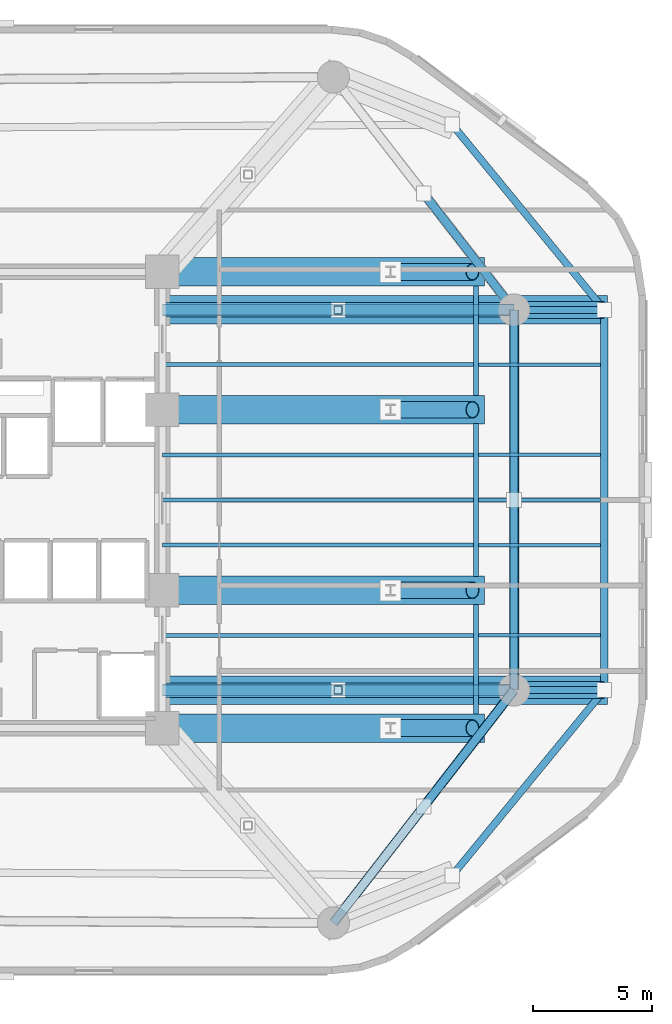
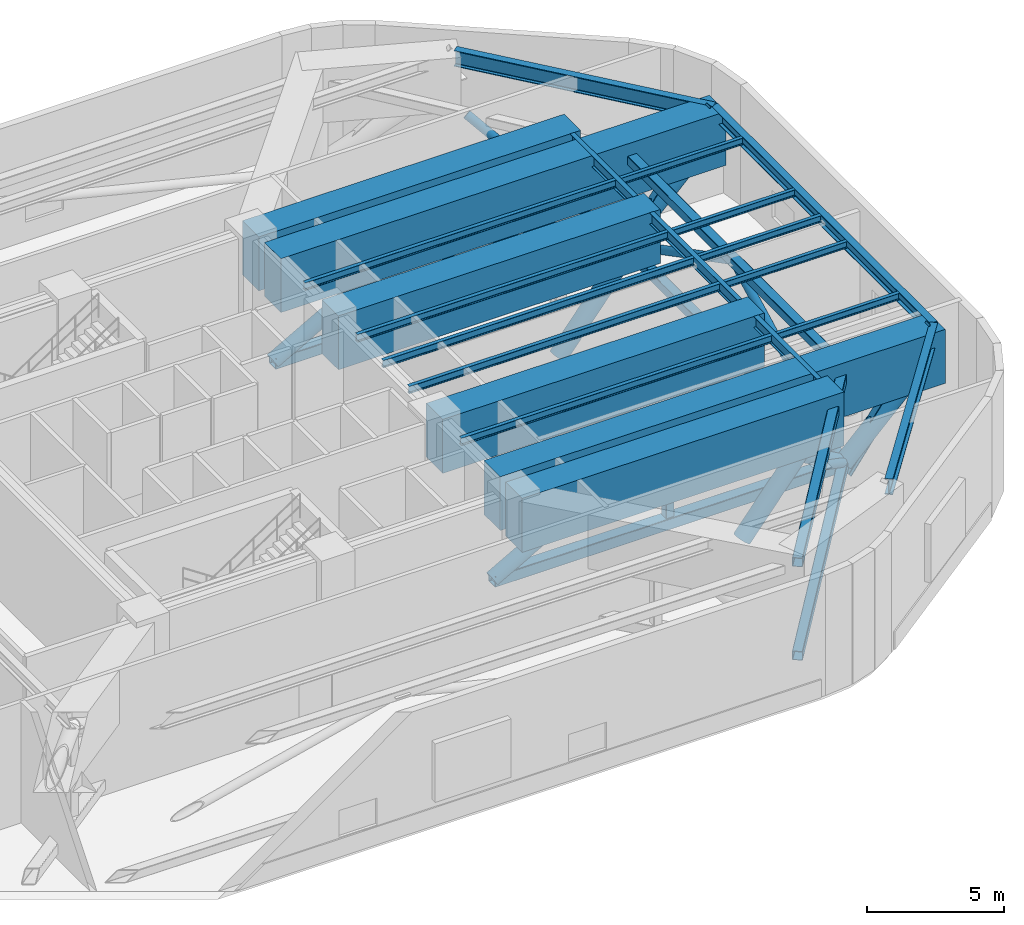
# One storey, part 3 of 10: 24 beams, 22 members.
"""IFC4 building model written with IfcOpenShell, lengths in metres."""

from ifc_helpers import new_model, si_unit, direction, frame, origin, origin_2d, place, context, subcontext, project, spatial, rectangle, hollow_rectangle, hollow_circle, i_section, extrude, material, material_profile, profile_set, type_object, element, save


model = new_model("IFC4")

# Units and contexts
model_context = context("Model", 3, precision=1e-05, world=origin(), true_north=direction((0.0, 1.0)))
body_context = subcontext(model_context, "Body", "Model", "MODEL_VIEW")
ifc_project = project(units=[si_unit("LENGTHUNIT", "METRE"), si_unit("AREAUNIT", "SQUARE_METRE"), si_unit("VOLUMEUNIT", "CUBIC_METRE"), si_unit("PLANEANGLEUNIT", "RADIAN"), si_unit("MASSUNIT", "GRAM", prefix="KILO")], contexts=[model_context])

# Site, building, storey
site_placement = place(None, origin())
site = spatial("IfcSite", under=ifc_project, at=site_placement, CompositionType="ELEMENT")
building_placement = place(site_placement, origin())
building = spatial("IfcBuilding", under=site, at=building_placement, Name="An Khanh Terracotta Commons", CompositionType="ELEMENT")
storey_placement = place(building_placement, frame((0.0, 0.0, 133.10009765625)))
storey = spatial("IfcBuildingStorey", under=building, at=storey_placement, Name="L35", CompositionType="ELEMENT", Elevation=133.10009765625)

# Members
ifc_material_1 = material(Name="Steel S460ML", Category="steel")
ifc_material_profile_1 = material_profile(ifc_material_1, hollow_rectangle(XDim=0.39990234375, YDim=0.39990234375, WallThickness=0.02001953125, InnerFilletRadius=0.02001953125, OuterFilletRadius=0.0400390625, at=origin_2d()), Name="SHS400x400x20")
ifc_profile_set_1 = profile_set([ifc_material_profile_1], Name="Steel S460ML")
member_type_1 = type_object("IfcMemberType", Name="BELT-CHORD-SHS400", PredefinedType="CHORD", material=ifc_profile_set_1)
for number, where, z_axis, x_axis, name in (
    (1, (44.39990234375, 6.199951171875, 0.449951171875), (0.612826529795, 0.790217466511, 0.0), (-0.790217466511, 0.612826529795, 0.0), "L35 Belt-Truss Bottom Chord 2"),
    (2, (44.39990234375, 6.199951171875, 4.60986328125), (0.612826529795, 0.790217466511, 0.0), (-0.790217466511, 0.612826529795, 0.0), "L35 Belt-Truss Top Chord 2"),
):
    element("IfcMember", number, at=place(storey_placement, frame(where, z_axis=z_axis, x_axis=x_axis)), inside=storey, type_object=member_type_1, Name=name, PredefinedType="CHORD", context=body_context, shape_type="SweptSolid", body=[
        extrude(hollow_rectangle(XDim=0.39990234375, YDim=0.39990234375, WallThickness=0.02001953125, InnerFilletRadius=0.02001953125, OuterFilletRadius=0.0400390625, at=origin_2d()), origin(), (0.0, 0.0, 1.0), 12.401611328125),
    ])
for number, where, z_axis, x_axis, name in (
    (3, (52.0, 16.0, 0.449951171875), (0.0, 1.0, 0.0), (-1.0, 0.0, 0.0), "L35 Belt-Truss Bottom Chord 3"),
    (4, (52.0, 16.0, 4.60986328125), (0.0, 1.0, 0.0), (-1.0, 0.0, 0.0), "L35 Belt-Truss Top Chord 3"),
):
    element("IfcMember", number, at=place(storey_placement, frame(where, z_axis=z_axis, x_axis=x_axis)), inside=storey, type_object=member_type_1, Name=name, PredefinedType="CHORD", context=body_context, shape_type="SweptSolid", body=[
        extrude(hollow_rectangle(XDim=0.39990234375, YDim=0.39990234375, WallThickness=0.02001953125, InnerFilletRadius=0.02001953125, OuterFilletRadius=0.0400390625, at=origin_2d()), origin(), (0.0, 0.0, 1.0), 16.0),
    ])
ifc_material_profile_2 = material_profile(ifc_material_1, hollow_rectangle(XDim=0.5, YDim=0.5, WallThickness=0.02490234375, InnerFilletRadius=0.02490234375, OuterFilletRadius=0.050048828125, at=origin_2d()), Name="SHS500x500x25")
ifc_profile_set_2 = profile_set([ifc_material_profile_2], Name="Steel S460ML")
member_type_2 = type_object("IfcMemberType", Name="BELT-CHORD-SHS500", PredefinedType="CHORD", material=ifc_profile_set_2)
for number, where, z_axis, x_axis, name in (
    (5, (37.199951171875, 16.0, 0.449951171875), (1.0, 0.0, 0.0), (0.0, 1.0, 0.0), "L35 Outrigger Bottom Chord 3"),
    (6, (37.199951171875, 32.0, 0.449951171875), (1.0, 0.0, 0.0), (0.0, 1.0, 0.0), "L35 Outrigger Bottom Chord 4"),
):
    element("IfcMember", number, at=place(storey_placement, frame(where, z_axis=z_axis, x_axis=x_axis)), inside=storey, type_object=member_type_2, Name=name, PredefinedType="CHORD", context=body_context, shape_type="SweptSolid", body=[
        extrude(hollow_rectangle(XDim=0.5, YDim=0.5, WallThickness=0.02490234375, InnerFilletRadius=0.02490234375, OuterFilletRadius=0.050048828125, at=origin_2d()), origin(), (0.0, 0.0, 1.0), 14.800048828125),
    ])
ifc_material_profile_3 = material_profile(ifc_material_1, hollow_circle(Radius=0.177734375, WallThickness=0.01611328125, at=origin_2d()), Name="CHS355.6x16")
ifc_profile_set_3 = profile_set([ifc_material_profile_3], Name="Steel S460ML")
member_type_3 = type_object("IfcMemberType", Name="BELT-DIAG-CHS355", PredefinedType="BRACE", material=ifc_profile_set_3)
member_1_placement = place(storey_placement, frame((52.0, 16.0, 0.449951171875), z_axis=(-0.508920634684, -0.656218254938, 0.557115238958), x_axis=(0.79021007312, -0.612836063185, 0.0)))
element("IfcMember", 7, at=member_1_placement, inside=storey, type_object=member_type_3, Name="L35 Belt-Truss Web Diagonal 2B", PredefinedType="BRACE", context=body_context, shape_type="SweptSolid", body=[
    extrude(hollow_circle(Radius=0.177734375, WallThickness=0.01611328125, at=origin_2d()), origin(), (0.0, 0.0, 1.0), 7.466796875),
])
for number, where, z_axis, x_axis, name in (
    (8, (52.0, 16.0, 0.449951171875), (0.0, 0.887220790965, 0.461345064003), (-1.0, 0.0, 0.0), "L35 Belt-Truss Web Diagonal 3A"),
    (9, (52.0, 32.0, 0.449951171875), (0.0, -0.887220790965, 0.461345064003), (1.0, 0.0, 0.0), "L35 Belt-Truss Web Diagonal 3B"),
):
    element("IfcMember", number, at=place(storey_placement, frame(where, z_axis=z_axis, x_axis=x_axis)), inside=storey, type_object=member_type_3, Name=name, PredefinedType="BRACE", context=body_context, shape_type="SweptSolid", body=[
        extrude(hollow_circle(Radius=0.177734375, WallThickness=0.01611328125, at=origin_2d()), origin(), (0.0, 0.0, 1.0), 9.016845703125),
    ])
member_2_placement = place(storey_placement, frame((52.0, 32.0, 0.449951171875), z_axis=(-0.508920634684, 0.656218254938, 0.557115238958), x_axis=(-0.79021007312, -0.612836063185, 0.0)))
element("IfcMember", 10, at=member_2_placement, inside=storey, type_object=member_type_3, Name="L35 Belt-Truss Web Diagonal 4A", PredefinedType="BRACE", context=body_context, shape_type="SweptSolid", body=[
    extrude(hollow_circle(Radius=0.177734375, WallThickness=0.01611328125, at=origin_2d()), origin(), (0.0, 0.0, 1.0), 7.466796875),
])
ifc_material_profile_4 = material_profile(ifc_material_1, hollow_rectangle(XDim=0.35009765625, YDim=0.35009765625, WallThickness=0.01611328125, InnerFilletRadius=0.01611328125, OuterFilletRadius=0.031982421875, at=origin_2d()), Name="SHS350x350x16")
ifc_profile_set_4 = profile_set([ifc_material_profile_4], Name="Steel S460ML")
member_type_4 = type_object("IfcMemberType", Name="BELT-STRUT-SHS350", PredefinedType="STRUT", material=ifc_profile_set_4)
for number, where, z_axis, x_axis, name in (
    (11, (44.60009765625, 16.0, 0.449951171875), (0.0, 0.0, 1.0), (1.0, 0.0, 0.0), "L35 Outrigger Vertical Post 3"),
    (12, (44.60009765625, 32.0, 0.449951171875), (0.0, 0.0, 1.0), (1.0, 0.0, 0.0), "L35 Outrigger Vertical Post 4"),
):
    element("IfcMember", number, at=place(storey_placement, frame(where, z_axis=z_axis, x_axis=x_axis)), inside=storey, type_object=member_type_4, Name=name, PredefinedType="STRUT", context=body_context, shape_type="SweptSolid", body=[
        extrude(hollow_rectangle(XDim=0.35009765625, YDim=0.35009765625, WallThickness=0.01611328125, InnerFilletRadius=0.01611328125, OuterFilletRadius=0.031982421875, at=origin_2d()), origin(), (0.0, 0.0, 1.0), 4.159912109375),
    ])

# Beams
ifc_material_2 = material(Name="Steel S355J2", Category="steel")
ifc_material_profile_5 = material_profile(ifc_material_2, i_section(OverallWidth=0.300048828125, OverallDepth=0.5, WebThickness=0.014404296875, FlangeThickness=0.028076171875, FilletRadius=0.027099609375, at=origin_2d()), Name="HEB500")
ifc_profile_set_5 = profile_set([ifc_material_profile_5], Name="Steel S355J2")
beam_type_1 = type_object("IfcBeamType", Name="BM-HEB500", PredefinedType="BEAM", material=ifc_profile_set_5)
beam_1_placement = place(storey_placement, frame((55.800048828125, 16.0, 5.10986328125), z_axis=(0.0, 1.0, 0.0), x_axis=(-1.0, 0.0, 0.0)))
element("IfcBeam", 13, at=beam_1_placement, inside=storey, type_object=beam_type_1, Name="L35 Perimeter Ring Spandrel 3", PredefinedType="BEAM", context=body_context, shape_type="SweptSolid", body=[
    extrude(i_section(OverallWidth=0.300048828125, OverallDepth=0.5, WebThickness=0.014404296875, FlangeThickness=0.028076171875, FilletRadius=0.027099609375, at=origin_2d()), origin(), (0.0, 0.0, 1.0), 16.0),
])
ifc_material_profile_6 = material_profile(ifc_material_2, i_section(OverallWidth=0.300048828125, OverallDepth=0.60009765625, WebThickness=0.015380859375, FlangeThickness=0.030029296875, FilletRadius=0.027099609375, at=origin_2d()), Name="HEB600")
ifc_profile_set_6 = profile_set([ifc_material_profile_6], Name="Steel S355J2")
beam_type_2 = type_object("IfcBeamType", Name="BM-HEB600", PredefinedType="BEAM", material=ifc_profile_set_6)
for number, where, z_axis, x_axis, name in (
    (14, (52.0, 16.0, 0.0), (0.586340223599, 0.0, 0.810064899986), (0.0, 1.0, 0.0), "L35 Outrigger Lower Column Tie Beam 3"),
    (15, (52.0, 32.0, 0.0), (0.586340223599, 0.0, 0.810064899986), (0.0, 1.0, 0.0), "L35 Outrigger Lower Column Tie Beam 4"),
):
    element("IfcBeam", number, at=place(storey_placement, frame(where, z_axis=z_axis, x_axis=x_axis)), inside=storey, type_object=beam_type_2, Name=name, PredefinedType="BEAM", context=body_context, shape_type="SweptSolid", body=[
        extrude(i_section(OverallWidth=0.300048828125, OverallDepth=0.60009765625, WebThickness=0.015380859375, FlangeThickness=0.030029296875, FilletRadius=0.027099609375, at=origin_2d()), origin(), (0.0, 0.0, 1.0), 6.48095703125),
    ])
ifc_material_profile_7 = material_profile(ifc_material_2, i_section(OverallWidth=0.300048828125, OverallDepth=0.699951171875, WebThickness=0.01708984375, FlangeThickness=0.031982421875, FilletRadius=0.027099609375, at=origin_2d()), Name="HEB700")
ifc_profile_set_7 = profile_set([ifc_material_profile_7], Name="Steel S355J2")
beam_type_3 = type_object("IfcBeamType", Name="BM-HEB700", PredefinedType="BEAM", material=ifc_profile_set_7)
for number, where, z_axis, x_axis, name in (
    (16, (49.39990234375, 8.199951171875, 5.010009765625), (0.634322915223, 0.7730681983, 0.0), (-0.7730681983, 0.634322915223, 0.0), "L35 Perimeter Ring Spandrel 2"),
    (17, (55.800048828125, 32.0, 5.010009765625), (-0.634322915223, 0.7730681983, 0.0), (-0.7730681983, -0.634322915223, 0.0), "L35 Perimeter Ring Spandrel 4"),
):
    element("IfcBeam", number, at=place(storey_placement, frame(where, z_axis=z_axis, x_axis=x_axis)), inside=storey, type_object=beam_type_3, Name=name, PredefinedType="BEAM", context=body_context, shape_type="SweptSolid", body=[
        extrude(i_section(OverallWidth=0.300048828125, OverallDepth=0.699951171875, WebThickness=0.01708984375, FlangeThickness=0.031982421875, FilletRadius=0.027099609375, at=origin_2d()), origin(), (0.0, 0.0, 1.0), 10.08984375),
    ])
ifc_material_profile_8 = material_profile(ifc_material_2, i_section(OverallWidth=0.14990234375, OverallDepth=0.300048828125, WebThickness=0.007080078125, FlangeThickness=0.0107421875, FilletRadius=0.014892578125, at=origin_2d()), Name="IPE300")
ifc_profile_set_8 = profile_set([ifc_material_profile_8], Name="Steel S355J2")
beam_type_4 = type_object("IfcBeamType", Name="BM-IPE300", PredefinedType="JOIST", material=ifc_profile_set_8)
for number, where, z_axis, x_axis, name in (
    (18, (50.5, 18.300048828125, 5.2099609375), (1.0, 0.0, 0.0), (0.0, 1.0, 0.0), "L35 Riverfront Composite Joist 2"),
    (19, (50.5, 22.10009765625, 5.2099609375), (1.0, 0.0, 0.0), (0.0, 1.0, 0.0), "L35 Riverfront Composite Joist 3"),
    (20, (50.5, 24.0, 5.2099609375), (1.0, 0.0, 0.0), (0.0, 1.0, 0.0), "L35 Riverfront Composite Joist 4"),
    (21, (50.5, 25.89990234375, 5.2099609375), (1.0, 0.0, 0.0), (0.0, 1.0, 0.0), "L35 Riverfront Composite Joist 5"),
    (22, (50.5, 29.699951171875, 5.2099609375), (1.0, 0.0, 0.0), (0.0, 1.0, 0.0), "L35 Riverfront Composite Joist 6"),
):
    element("IfcBeam", number, at=place(storey_placement, frame(where, z_axis=z_axis, x_axis=x_axis)), inside=storey, type_object=beam_type_4, Name=name, PredefinedType="JOIST", context=body_context, shape_type="SweptSolid", body=[
        extrude(i_section(OverallWidth=0.14990234375, OverallDepth=0.300048828125, WebThickness=0.007080078125, FlangeThickness=0.0107421875, FilletRadius=0.014892578125, at=origin_2d()), origin(), (0.0, 0.0, 1.0), 5.14990234375),
    ])
ifc_material_profile_9 = material_profile(ifc_material_2, i_section(OverallWidth=0.159912109375, OverallDepth=0.330078125, WebThickness=0.007568359375, FlangeThickness=0.011474609375, FilletRadius=0.01806640625, at=origin_2d()), Name="IPE330")
ifc_profile_set_9 = profile_set([ifc_material_profile_9], Name="Steel S355J2")
beam_type_5 = type_object("IfcBeamType", Name="BM-IPE330", PredefinedType="JOIST", material=ifc_profile_set_9)
for number, where, z_axis, x_axis, name in (
    (23, (37.199951171875, 18.300048828125, 5.19482421875), (1.0, 0.0, 0.0), (0.0, 1.0, 0.0), "L35 Inboard Composite Joist 2"),
    (24, (37.199951171875, 22.10009765625, 5.19482421875), (1.0, 0.0, 0.0), (0.0, 1.0, 0.0), "L35 Inboard Composite Joist 3"),
    (25, (37.199951171875, 24.0, 5.19482421875), (1.0, 0.0, 0.0), (0.0, 1.0, 0.0), "L35 Inboard Composite Joist 4"),
    (26, (37.199951171875, 25.89990234375, 5.19482421875), (1.0, 0.0, 0.0), (0.0, 1.0, 0.0), "L35 Inboard Composite Joist 5"),
    (27, (37.199951171875, 29.699951171875, 5.19482421875), (1.0, 0.0, 0.0), (0.0, 1.0, 0.0), "L35 Inboard Composite Joist 6"),
):
    element("IfcBeam", number, at=place(storey_placement, frame(where, z_axis=z_axis, x_axis=x_axis)), inside=storey, type_object=beam_type_5, Name=name, PredefinedType="JOIST", context=body_context, shape_type="SweptSolid", body=[
        extrude(i_section(OverallWidth=0.159912109375, OverallDepth=0.330078125, WebThickness=0.007568359375, FlangeThickness=0.011474609375, FilletRadius=0.01806640625, at=origin_2d()), origin(), (0.0, 0.0, 1.0), 13.10009765625),
    ])
ifc_material_profile_10 = material_profile(ifc_material_2, i_section(OverallWidth=0.199951171875, OverallDepth=0.5, WebThickness=0.01025390625, FlangeThickness=0.01611328125, FilletRadius=0.02099609375, at=origin_2d()), Name="IPE500")
ifc_profile_set_10 = profile_set([ifc_material_profile_10], Name="Steel S355J2")
beam_type_6 = type_object("IfcBeamType", Name="BM-IPE500", PredefinedType="BEAM", material=ifc_profile_set_10)
beam_2_placement = place(storey_placement, frame((50.39990234375, 14.989990234375, 5.10986328125), z_axis=(0.0, 1.0, 0.0), x_axis=(-1.0, 0.0, 0.0)))
element("IfcBeam", 28, at=beam_2_placement, inside=storey, type_object=beam_type_6, Name="L35 East Spine Girder 1", PredefinedType="BEAM", context=body_context, shape_type="SweptSolid", body=[
    extrude(i_section(OverallWidth=0.199951171875, OverallDepth=0.5, WebThickness=0.01025390625, FlangeThickness=0.01611328125, FilletRadius=0.02099609375, at=origin_2d()), origin(), (0.0, 0.0, 1.0), 4.6201171875),
])
beam_3_placement = place(storey_placement, frame((50.39990234375, 20.7900390625, 5.10986328125), z_axis=(0.0, 1.0, 0.0), x_axis=(-1.0, 0.0, 0.0)))
element("IfcBeam", 29, at=beam_3_placement, inside=storey, type_object=beam_type_6, Name="L35 East Spine Girder 2", PredefinedType="BEAM", context=body_context, shape_type="SweptSolid", body=[
    extrude(i_section(OverallWidth=0.199951171875, OverallDepth=0.5, WebThickness=0.01025390625, FlangeThickness=0.01611328125, FilletRadius=0.02099609375, at=origin_2d()), origin(), (0.0, 0.0, 1.0), 6.419921875),
])
beam_4_placement = place(storey_placement, frame((50.39990234375, 28.389892578125, 5.10986328125), z_axis=(0.0, 1.0, 0.0), x_axis=(-1.0, 0.0, 0.0)))
element("IfcBeam", 30, at=beam_4_placement, inside=storey, type_object=beam_type_6, Name="L35 East Spine Girder 3", PredefinedType="BEAM", context=body_context, shape_type="SweptSolid", body=[
    extrude(i_section(OverallWidth=0.199951171875, OverallDepth=0.5, WebThickness=0.01025390625, FlangeThickness=0.01611328125, FilletRadius=0.02099609375, at=origin_2d()), origin(), (0.0, 0.0, 1.0), 4.6201171875),
])
ifc_material_3 = material(Name="Concrete C60/75", Category="concrete")
ifc_material_profile_11 = material_profile(ifc_material_3, rectangle(XDim=1.199951171875, YDim=2.39990234375, at=origin_2d()), Name="RCB1200x2400")
ifc_profile_set_11 = profile_set([ifc_material_profile_11], Name="Concrete C60/75")
beam_type_7 = type_object("IfcBeamType", Name="BM-RCB1200x2400", PredefinedType="BEAM", material=ifc_profile_set_11)
for number, where, z_axis, x_axis, name in (
    (31, (37.199951171875, 16.0, 4.159912109375), (1.0, 0.0, 0.0), (0.0, 1.0, 0.0), "L35 Outrigger Core-to-Mega Transfer Girder 3"),
    (32, (37.199951171875, 32.0, 4.159912109375), (1.0, 0.0, 0.0), (0.0, 1.0, 0.0), "L35 Outrigger Core-to-Mega Transfer Girder 4"),
):
    element("IfcBeam", number, at=place(storey_placement, frame(where, z_axis=z_axis, x_axis=x_axis)), inside=storey, type_object=beam_type_7, Name=name, PredefinedType="BEAM", context=body_context, shape_type="SweptSolid", body=[
        extrude(rectangle(XDim=1.199951171875, YDim=2.39990234375, at=origin_2d()), origin(), (0.0, 0.0, 1.0), 18.739990234375),
    ])
for number, where, z_axis, x_axis, name in (
    (33, (37.199951171875, 14.39990234375, 4.159912109375), (1.0, 0.0, 0.0), (0.0, 1.0, 0.0), "L35 Interior Column Step-Out Transfer Girder 1"),
    (34, (37.199951171875, 20.199951171875, 4.159912109375), (1.0, 0.0, 0.0), (0.0, 1.0, 0.0), "L35 Interior Column Step-Out Transfer Girder 2"),
    (35, (37.199951171875, 27.800048828125, 4.159912109375), (1.0, 0.0, 0.0), (0.0, 1.0, 0.0), "L35 Interior Column Step-Out Transfer Girder 3"),
    (36, (37.199951171875, 33.60009765625, 4.159912109375), (1.0, 0.0, 0.0), (0.0, 1.0, 0.0), "L35 Interior Column Step-Out Transfer Girder 4"),
):
    element("IfcBeam", number, at=place(storey_placement, frame(where, z_axis=z_axis, x_axis=x_axis)), inside=storey, type_object=beam_type_7, Name=name, PredefinedType="BEAM", context=body_context, shape_type="SweptSolid", body=[
        extrude(rectangle(XDim=1.199951171875, YDim=2.39990234375, at=origin_2d()), origin(), (0.0, 0.0, 1.0), 13.550048828125),
    ])

# Members
ifc_material_profile_12 = material_profile(ifc_material_1, hollow_circle(Radius=0.304931640625, WallThickness=0.030029296875, at=origin_2d()), Name="CHS610x30")
ifc_profile_set_12 = profile_set([ifc_material_profile_12], Name="Steel S460ML")
member_type_5 = type_object("IfcMemberType", Name="OUTRIGGER-DIAG-CHS610", PredefinedType="BRACE", material=ifc_profile_set_12)
member_3_placement = place(storey_placement, frame((37.199951171875, 16.0, 0.449951171875), z_axis=(0.871709911522, 0.0, 0.490022275162), x_axis=(0.0, 1.0, 0.0)))
element("IfcMember", 37, at=member_3_placement, inside=storey, type_object=member_type_5, Name="L35 Outrigger Tie Diagonal 3A", PredefinedType="BRACE", context=body_context, shape_type="SweptSolid", body=[
    extrude(hollow_circle(Radius=0.304931640625, WallThickness=0.030029296875, at=origin_2d()), origin(), (0.0, 0.0, 1.0), 8.4892578125),
])
member_4_placement = place(storey_placement, frame((44.60009765625, 16.0, 4.60986328125), z_axis=(0.871703005631, 0.0, -0.490034559979), x_axis=(0.0, 1.0, 0.0)))
element("IfcMember", 38, at=member_4_placement, inside=storey, type_object=member_type_5, Name="L35 Outrigger Tie Diagonal 3B", PredefinedType="BRACE", context=body_context, shape_type="SweptSolid", body=[
    extrude(hollow_circle(Radius=0.304931640625, WallThickness=0.030029296875, at=origin_2d()), origin(), (0.0, 0.0, 1.0), 8.489013671875),
])
member_5_placement = place(storey_placement, frame((37.199951171875, 32.0, 0.449951171875), z_axis=(0.871709911522, 0.0, 0.490022275162), x_axis=(0.0, 1.0, 0.0)))
element("IfcMember", 39, at=member_5_placement, inside=storey, type_object=member_type_5, Name="L35 Outrigger Tie Diagonal 4A", PredefinedType="BRACE", context=body_context, shape_type="SweptSolid", body=[
    extrude(hollow_circle(Radius=0.304931640625, WallThickness=0.030029296875, at=origin_2d()), origin(), (0.0, 0.0, 1.0), 8.4892578125),
])
member_6_placement = place(storey_placement, frame((44.60009765625, 32.0, 4.60986328125), z_axis=(0.871703005631, 0.0, -0.490034559979), x_axis=(0.0, 1.0, 0.0)))
element("IfcMember", 40, at=member_6_placement, inside=storey, type_object=member_type_5, Name="L35 Outrigger Tie Diagonal 4B", PredefinedType="BRACE", context=body_context, shape_type="SweptSolid", body=[
    extrude(hollow_circle(Radius=0.304931640625, WallThickness=0.030029296875, at=origin_2d()), origin(), (0.0, 0.0, 1.0), 8.489013671875),
])
ifc_material_profile_13 = material_profile(ifc_material_1, hollow_circle(Radius=0.35546875, WallThickness=0.031982421875, at=origin_2d()), Name="CHS711x32")
ifc_profile_set_13 = profile_set([ifc_material_profile_13], Name="Steel S460ML")
member_type_6 = type_object("IfcMemberType", Name="OUTRIGGER-RAKE-CHS711", PredefinedType="STRUT", material=ifc_profile_set_13)
for number, where, z_axis, x_axis, name in (
    (41, (52.0, 16.0, 0.449951171875), (0.708058768268, 0.0, 0.706153510704), (0.0, 1.0, 0.0), "L35 Zone-Step Raking Outrigger Strut 3"),
    (42, (52.0, 32.0, 0.449951171875), (0.708058768268, 0.0, 0.706153510704), (0.0, 1.0, 0.0), "L35 Zone-Step Raking Outrigger Strut 4"),
):
    element("IfcMember", number, at=place(storey_placement, frame(where, z_axis=z_axis, x_axis=x_axis)), inside=storey, type_object=member_type_6, Name=name, PredefinedType="STRUT", context=body_context, shape_type="SweptSolid", body=[
        extrude(hollow_circle(Radius=0.35546875, WallThickness=0.031982421875, at=origin_2d()), origin(), (0.0, 0.0, 1.0), 5.253662109375),
    ])
for number, where, z_axis, x_axis, name in (
    (43, (46.800048828125, 14.39990234375, -0.14013671875), (0.625790754633, 0.0, 0.779990981625), (0.0, 1.0, 0.0), "L35 Interior Column Raking Transfer Strut 1"),
    (44, (46.800048828125, 20.199951171875, -0.14013671875), (0.625790754633, 0.0, 0.779990981625), (0.0, 1.0, 0.0), "L35 Interior Column Raking Transfer Strut 2"),
    (45, (46.800048828125, 27.800048828125, -0.14013671875), (0.625790754633, 0.0, 0.779990981625), (0.0, 1.0, 0.0), "L35 Interior Column Raking Transfer Strut 3"),
    (46, (46.800048828125, 33.60009765625, -0.14013671875), (0.625790754633, 0.0, 0.779990981625), (0.0, 1.0, 0.0), "L35 Interior Column Raking Transfer Strut 4"),
):
    element("IfcMember", number, at=place(storey_placement, frame(where, z_axis=z_axis, x_axis=x_axis)), inside=storey, type_object=member_type_6, Name=name, PredefinedType="STRUT", context=body_context, shape_type="SweptSolid", body=[
        extrude(hollow_circle(Radius=0.35546875, WallThickness=0.031982421875, at=origin_2d()), origin(), (0.0, 0.0, 1.0), 5.512939453125),
    ])

save(model, "model.ifc")
